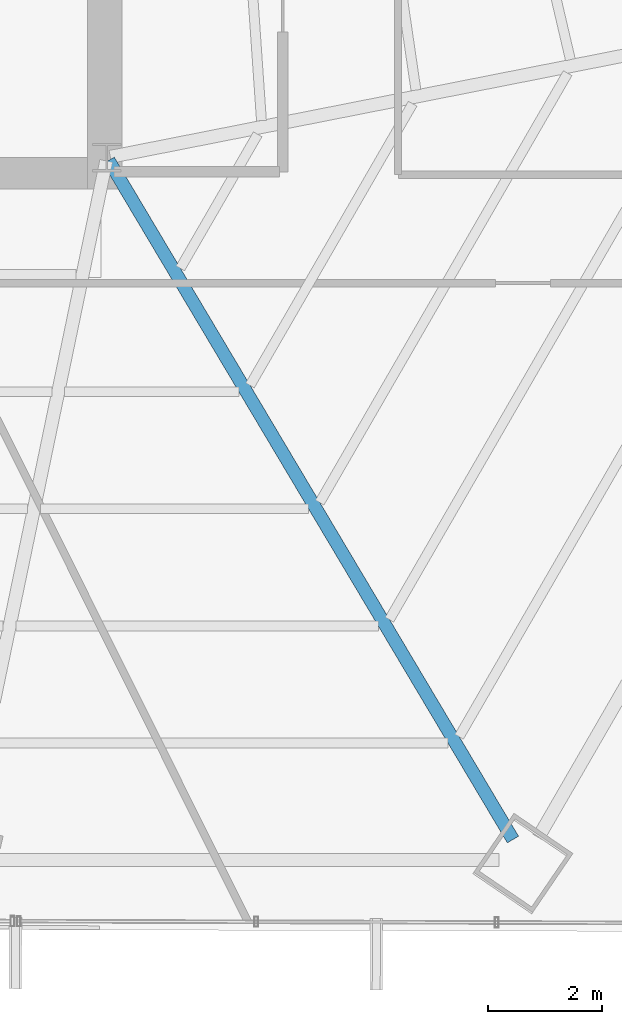
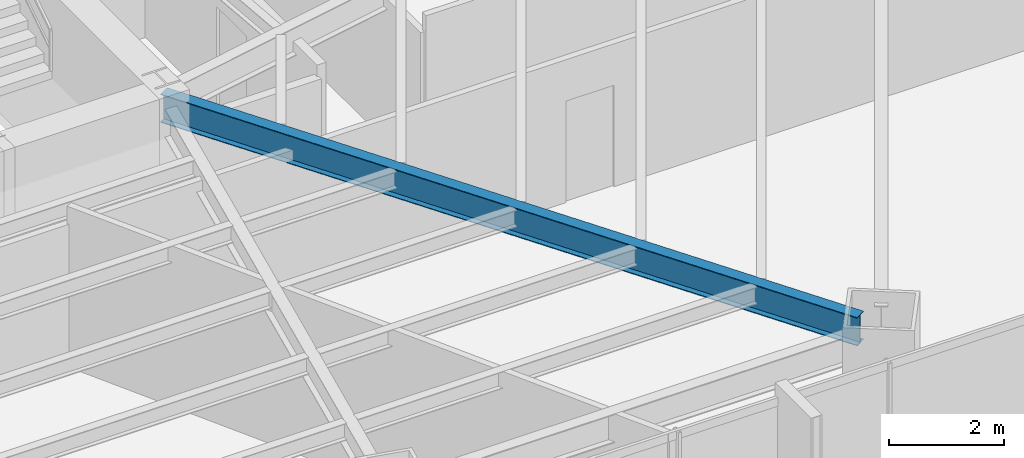
# One storey, part 13 of 33: 1 beam.
"""IFC4 building model written with IfcOpenShell, lengths in metres."""

import ifcopenshell
import ifcopenshell.guid

model = None  # the IFC model being written
_history = None  # IfcOwnerHistory: only IFC2X3 demands one
_inside = {}  # id of a spatial element -> (the spatial element, [elements in it])
_under = {}  # id of a project, library or spatial element -> (it, [spatial elements below it])
_declared = {}  # id of a project -> (the project, [libraries it declares])
_typed = {}  # id of a type object -> (the type object, [elements of that type])
_made_of = {}  # id of a material, layer set ... -> (it, [elements and type objects made of it])


def new_model(schema):
    """Start an empty IFC model of exactly this schema.

    Asked for "IFC4X3", IfcOpenShell would pick the latest addendum, in which some entities
    have other attributes; the version numbers below select the first issue.
    IFC2X3 requires an IfcOwnerHistory on every rooted entity: one is made here for all.
    """
    global model, _history
    if schema == "IFC4X3":
        model = ifcopenshell.file(schema_version=(4, 3, 0, 0))
    else:
        model = ifcopenshell.file(schema=schema)
    _inside.clear()
    _under.clear()
    _declared.clear()
    _typed.clear()
    _made_of.clear()
    _history = None
    if model.schema == "IFC2X3":
        org = make("IfcOrganization", Name="unknown")
        user = make(
            "IfcPersonAndOrganization",
            ThePerson=make("IfcPerson", FamilyName="unknown"),
            TheOrganization=org,
        )
        app = make(
            "IfcApplication",
            ApplicationDeveloper=org,
            Version="unknown",
            ApplicationFullName="unknown",
            ApplicationIdentifier="unknown",
        )
        _history = make(
            "IfcOwnerHistory",
            OwningUser=user,
            OwningApplication=app,
            ChangeAction="ADDED",
            CreationDate=0,
        )
    return model


def make(cls, **values):
    """One entity of the class cls with the attributes given. An attribute that is None is left unset."""
    return model.create_entity(
        cls, **{name: value for name, value in values.items() if value is not None}
    )


def rooted(cls, **values):
    """An entity with a GlobalId (a new one), such as an element, a storey or a relation."""
    return make(cls, GlobalId=ifcopenshell.guid.new(), OwnerHistory=_history, **values)


def si_unit(unit_type, name, prefix=None):
    """IfcSIUnit, for example si_unit("LENGTHUNIT", "METRE", prefix="MILLI")."""
    return make("IfcSIUnit", UnitType=unit_type, Prefix=prefix, Name=name)


def assignment(units):
    """IfcUnitAssignment: the units of a project."""
    return None if units is None else make("IfcUnitAssignment", Units=units)


def point(xyz):
    """IfcCartesianPoint."""
    return None if xyz is None else make("IfcCartesianPoint", Coordinates=xyz)


def direction(xyz):
    """IfcDirection."""
    return None if xyz is None else make("IfcDirection", DirectionRatios=xyz)


def frame(location, z_axis=None, x_axis=None):
    """IfcAxis2Placement3D, a coordinate frame: its origin and axes. An axis left out is left unset."""
    return make(
        "IfcAxis2Placement3D",
        Location=point(location),
        Axis=direction(z_axis),
        RefDirection=direction(x_axis),
    )


def frame_2d(location, x_axis=None):
    """IfcAxis2Placement2D, a coordinate frame in the plane: its origin and x axis."""
    return make(
        "IfcAxis2Placement2D", Location=point(location), RefDirection=direction(x_axis)
    )


def origin():
    """The frame at (0, 0, 0) with its axes left unset."""
    return frame((0.0, 0.0, 0.0))


def origin_2d():
    """The frame at (0, 0) in the plane with its x axis left unset."""
    return frame_2d((0.0, 0.0))


def place(relative_to, where):
    """IfcLocalPlacement: puts the frame where relative to a parent placement (None: the world)."""
    return make(
        "IfcLocalPlacement", PlacementRelTo=relative_to, RelativePlacement=where
    )


def context(
    kind, dimensions, precision=None, world=None, true_north=None, identifier=None
):
    """IfcGeometricRepresentationContext, for example the 3D "Model" context."""
    return make(
        "IfcGeometricRepresentationContext",
        ContextIdentifier=identifier,
        ContextType=kind,
        CoordinateSpaceDimension=dimensions,
        Precision=precision,
        WorldCoordinateSystem=world,
        TrueNorth=true_north,
    )


def subcontext(parent, identifier, kind, view, scale=None):
    """IfcGeometricRepresentationSubContext, for example "Body" below "Model"."""
    return make(
        "IfcGeometricRepresentationSubContext",
        ContextIdentifier=identifier,
        ContextType=kind,
        ParentContext=parent,
        TargetScale=scale,
        TargetView=view,
    )


def project(units=None, contexts=None):
    """IfcProject with its units and contexts."""
    return rooted(
        "IfcProject",
        Name="project",
        RepresentationContexts=contexts,
        UnitsInContext=assignment(units),
    )


def spatial(cls, under=None, at=None, **own):
    """A site, building, storey or space (cls), placed at a placement, below another one or the project."""
    s = rooted(cls, ObjectPlacement=at, **own)
    if under is not None:
        _under.setdefault(under.id(), (under, []))[1].append(s)
    return s


def profile(cls, at=None, kind="AREA", **sizes):
    """A parametric profile (cls). Its sizes go by their IFC names, for example OverallWidth=200.0."""
    return make(cls, ProfileType=kind, Position=at, **sizes)


def i_section(**sizes):
    """IfcIShapeProfileDef."""
    return profile("IfcIShapeProfileDef", **sizes)


def extrude(swept, where, along, depth):
    """IfcExtrudedAreaSolid: the profile swept, set in the frame where, extruded along a direction by depth."""
    return make(
        "IfcExtrudedAreaSolid",
        SweptArea=swept,
        Position=where,
        ExtrudedDirection=direction(along),
        Depth=depth,
    )


def shape(context_of_items, identifier, shape_type, items):
    """IfcShapeRepresentation: the items that make up one representation, for example the "Body"."""
    return make(
        "IfcShapeRepresentation",
        ContextOfItems=context_of_items,
        RepresentationIdentifier=identifier,
        RepresentationType=shape_type,
        Items=items,
    )


def source(mapping_origin, context_of_items, identifier, shape_type, items):
    """IfcRepresentationMap: a shape defined once, which mapped items show again and again."""
    return make(
        "IfcRepresentationMap",
        MappingOrigin=mapping_origin,
        MappedRepresentation=shape(context_of_items, identifier, shape_type, items),
    )


def transform(
    local_origin,
    x_axis=None,
    y_axis=None,
    z_axis=None,
    scale=None,
    scale2=None,
    scale3=None,
    uniform=True,
):
    """IfcCartesianTransformationOperator3D, or its non-uniform kind. x_axis, y_axis, z_axis: its Axis1, 2, 3."""
    if uniform:
        return make(
            "IfcCartesianTransformationOperator3D",
            Axis1=direction(x_axis),
            Axis2=direction(y_axis),
            LocalOrigin=point(local_origin),
            Scale=scale,
            Axis3=direction(z_axis),
        )
    return make(
        "IfcCartesianTransformationOperator3DnonUniform",
        Axis1=direction(x_axis),
        Axis2=direction(y_axis),
        LocalOrigin=point(local_origin),
        Scale=scale,
        Axis3=direction(z_axis),
        Scale2=scale2,
        Scale3=scale3,
    )


def mapped(mapping_source, mapping_target):
    """IfcMappedItem: shows the shape of a source again, moved by a transform."""
    return make(
        "IfcMappedItem", MappingSource=mapping_source, MappingTarget=mapping_target
    )


def material(Name=None, Category=None):
    """IfcMaterial."""
    return make("IfcMaterial", Name=Name, Category=Category)


def material_profile(
    of_material, cross_section, Name=None, Category=None, Priority=None
):
    """IfcMaterialProfile: a cross section and its material."""
    return make(
        "IfcMaterialProfile",
        Name=Name,
        Material=of_material,
        Profile=cross_section,
        Priority=Priority,
        Category=Category,
    )


def profile_set(profiles, Name=None, composite=None):
    """IfcMaterialProfileSet."""
    return make(
        "IfcMaterialProfileSet",
        Name=Name,
        MaterialProfiles=profiles,
        CompositeProfile=composite,
    )


def made_of(thing, what):
    """Note that an element or type object is made of a material, layer set ...; save() writes the relation."""
    if what is not None:
        _made_of.setdefault(what.id(), (what, []))[1].append(thing)
    return thing


def type_object(cls, material=None, **own):
    """A type object (cls), such as IfcWallType, which elements share."""
    return made_of(rooted(cls, **own), material)


def type_shapes(of_type, sources):
    """Give a type object the sources (RepresentationMaps) that its elements show as mapped items."""
    of_type.RepresentationMaps = sources


def element(
    cls,
    number,
    at=None,
    inside=None,
    cuts=None,
    type_object=None,
    material=None,
    context=None,
    identifier="Body",
    shape_type=None,
    held_by="IfcProductDefinitionShape",
    body=None,
    shapes=None,
    **own,
):
    """One element of the class cls, such as IfcWall. Its Tag is "e" and its number.

    at: its placement. inside: the storey or other place that contains it. cuts: it is an
    opening in that element (IfcRelVoidsElement). A single representation is given by context,
    identifier, shape_type and body (its items); several are given by shapes. held_by: the class
    of the entity that holds the representations. save() writes the other relations.
    """
    e = rooted(cls, Tag="e%d" % number, ObjectPlacement=at, **own)
    if body is not None:
        shapes = [shape(context, identifier, shape_type, body)]
    if shapes is not None:
        e.Representation = make(held_by, Representations=shapes)
    if inside is not None:
        _inside.setdefault(inside.id(), (inside, []))[1].append(e)
    if cuts is not None:
        rooted(
            "IfcRelVoidsElement", RelatingBuildingElement=cuts, RelatedOpeningElement=e
        )
    if type_object is not None:
        _typed.setdefault(type_object.id(), (type_object, []))[1].append(e)
    return made_of(e, material)


def aggregate(whole, parts):
    """IfcRelAggregates: a whole, such as a stair, and the parts it consists of."""
    return rooted("IfcRelAggregates", RelatingObject=whole, RelatedObjects=parts)


def save(model, path):
    """Write the relations noted so far, then the file.

    IfcRelAggregates (storeys below a building ...), IfcRelContainedInSpatialStructure (elements
    in a storey), IfcRelDefinesByType, IfcRelAssociatesMaterial and IfcRelDeclares: one each for
    every whole, place, type object, material and project.
    """
    for whole, parts in _under.values():
        aggregate(whole, parts)
    for where, things in _inside.values():
        rooted(
            "IfcRelContainedInSpatialStructure",
            RelatedElements=things,
            RelatingStructure=where,
        )
    for kind, things in _typed.values():
        rooted("IfcRelDefinesByType", RelatedObjects=things, RelatingType=kind)
    for what, things in _made_of.values():
        rooted("IfcRelAssociatesMaterial", RelatedObjects=things, RelatingMaterial=what)
    for by, libraries in _declared.values():
        rooted("IfcRelDeclares", RelatingContext=by, RelatedDefinitions=libraries)
    model.write(path)


model = new_model("IFC4")

# Units and contexts
model_context = context("Model", 3, precision=1e-05, world=origin(), true_north=direction((0.0, 1.0)))
body_context = subcontext(model_context, "Body", "Model", "MODEL_VIEW")
ifc_project = project(units=[si_unit("LENGTHUNIT", "METRE"), si_unit("AREAUNIT", "SQUARE_METRE"), si_unit("VOLUMEUNIT", "CUBIC_METRE"), si_unit("PLANEANGLEUNIT", "RADIAN"), si_unit("MASSUNIT", "GRAM", prefix="KILO")], contexts=[model_context])

# Site, building, storey
site_placement = place(None, origin())
site = spatial("IfcSite", under=ifc_project, at=site_placement, CompositionType="ELEMENT")
building_placement = place(site_placement, origin())
building = spatial("IfcBuilding", under=site, at=building_placement, Name="Caelisora Broadcast Tower", CompositionType="ELEMENT")
storey_placement = place(building_placement, frame((0.0, 0.0, 38.550048828125)))
storey = spatial("IfcBuildingStorey", under=building, at=storey_placement, Name="L09", CompositionType="ELEMENT", Elevation=38.550048828125)

# Beam
ifc_material = material(Name="Steel Grade 350 (AS/NZS 3679.1)", Category="steel")
ifc_material_profile = material_profile(ifc_material, i_section(OverallWidth=0.22802734375, OverallDepth=0.602294921875, WebThickness=0.010498046875, FlangeThickness=0.014892578125, at=origin_2d()), Name="Steel Grade 350 (AS/NZS 3679.1)")
ifc_profile_set = profile_set([ifc_material_profile], Name="Steel Grade 350 (AS/NZS 3679.1)")
beam_type = type_object("IfcBeamType", Name="PG04", PredefinedType="BEAM", material=ifc_profile_set)
shared_shape = source(origin(), body_context, "Body", "SweptSolid", [
    extrude(i_section(OverallWidth=0.22802734375, OverallDepth=0.602294921875, WebThickness=0.010498046875, FlangeThickness=0.014892578125, at=origin_2d()), origin(), (0.0, 0.0, 1.0), 13.84716796875),
])
type_shapes(beam_type, [shared_shape])
beam_placement = place(storey_placement, frame((45.53076171875, 17.348388671875, 3.098876953125), z_axis=(0.511549880934, -0.859253582661, 0.0), x_axis=(0.859253582661, 0.511549880934, 0.0)))
element("IfcBeam", 1, at=beam_placement, inside=storey, type_object=beam_type, Name="L09 beam PG04", PredefinedType="BEAM", context=body_context, shape_type="MappedRepresentation", body=[
    mapped(shared_shape, transform((0.0, 0.0, 0.0), scale=1.0)),
])

save(model, "model.ifc")
